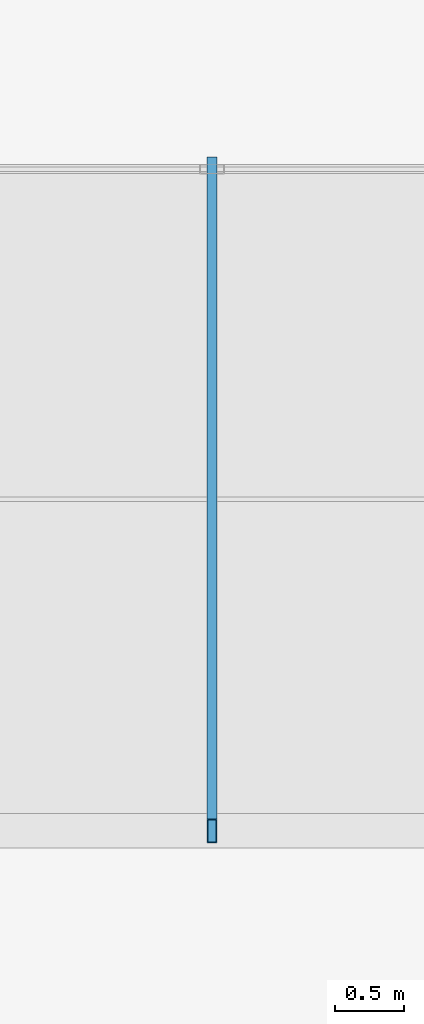
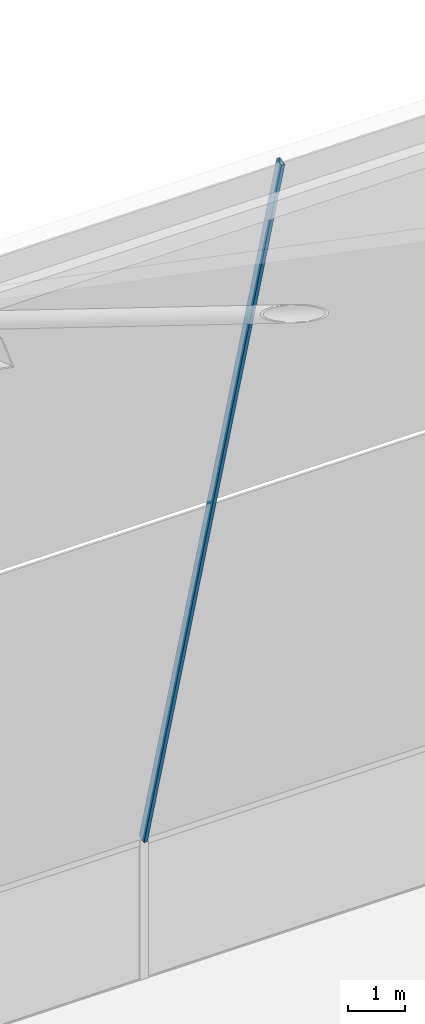
# One storey, part 24 of 32: 1 member, 1 element without a shape of its own.
"""IFC4 building model written with IfcOpenShell, lengths in metres."""

from ifc_helpers import new_model, si_unit, direction, frame, origin, origin_2d, place, context, subcontext, project, spatial, hollow_rectangle, extrude, source, transform, mapped, material, layer, layer_set, material_profile, profile_set, type_object, element, aggregate, save


model = new_model("IFC4")

# Units and contexts
model_context = context("Model", 3, precision=1e-05, world=origin(), true_north=direction((0.0, 1.0)))
body_context = subcontext(model_context, "Body", "Model", "MODEL_VIEW")
ifc_project = project(units=[si_unit("LENGTHUNIT", "METRE"), si_unit("AREAUNIT", "SQUARE_METRE"), si_unit("VOLUMEUNIT", "CUBIC_METRE"), si_unit("PLANEANGLEUNIT", "RADIAN"), si_unit("MASSUNIT", "GRAM", prefix="KILO")], contexts=[model_context])

# Site, building, storey
site_placement = place(None, origin())
site = spatial("IfcSite", under=ifc_project, at=site_placement, CompositionType="ELEMENT")
building_placement = place(site_placement, origin())
building = spatial("IfcBuilding", under=site, at=building_placement, Name="Sumidabori Civic Tower", CompositionType="ELEMENT")
storey_placement = place(building_placement, frame((0.0, 0.0, 298.199951171875)))
storey = spatial("IfcBuildingStorey", under=building, at=storey_placement, Name="RF Roof Crown", CompositionType="ELEMENT", Elevation=298.199951171875)

# Curtain wall, member
ifc_material = material(Name="Anodised Bronze Aluminium AW-6063-T6", Category="aluminium")
ifc_layer = layer(ifc_material, 0.179931640625, Name="Anodised Bronze Aluminium AW-6063-T6")
ifc_layer_set = layer_set([ifc_layer], Name="Anodised Bronze Aluminium AW-6063-T6")
curtain_wall_type = type_object("IfcCurtainWallType", Name="CW-SYS-6", PredefinedType="NOTDEFINED", material=ifc_layer_set)
curtain_wall_placement = place(storey_placement, origin())
curtain_wall = element("IfcCurtainWall", 1, at=curtain_wall_placement, inside=storey, type_object=curtain_wall_type, Name="Glass-Point Crown North Shoulder Curtain Wall", PredefinedType="NOTDEFINED")
ifc_material_profile = material_profile(ifc_material, hollow_rectangle(XDim=0.070068359375, YDim=0.179931640625, WallThickness=0.006103515625, at=origin_2d()), Name="ALU MULLION 180x70")
ifc_profile_set = profile_set([ifc_material_profile], Name="Anodised Bronze Aluminium AW-6063-T6")
member_type = type_object("IfcMemberType", Name="CW-MUL-180", PredefinedType="MULLION", material=ifc_profile_set)
shared_shape = source(origin(), body_context, "Body", "SweptSolid", [
    extrude(hollow_rectangle(XDim=0.070068359375, YDim=0.179931640625, WallThickness=0.006103515625, at=origin_2d()), origin(), (0.0, 0.0, 1.0), 17.9921875),
])
member_placement = place(storey_placement, frame((0.0, 22.800048828125, 3.050048828125), z_axis=(0.0, -0.266785045518, 0.963756058081), x_axis=(1.0, 0.0, 0.0)))
member = element("IfcMember", 2, at=member_placement, type_object=member_type, Name="Crown North Shoulder Sloped Mullion M2", PredefinedType="MULLION", context=body_context, shape_type="MappedRepresentation", body=[
    mapped(shared_shape, transform((0.0, 0.0, 0.0), x_axis=(1.0, 0.0, 0.0), y_axis=(0.0, 1.0, 0.0), z_axis=(0.0, 0.0, 1.0), scale=1.0)),
])
aggregate(curtain_wall, [member])

save(model, "model.ifc")
